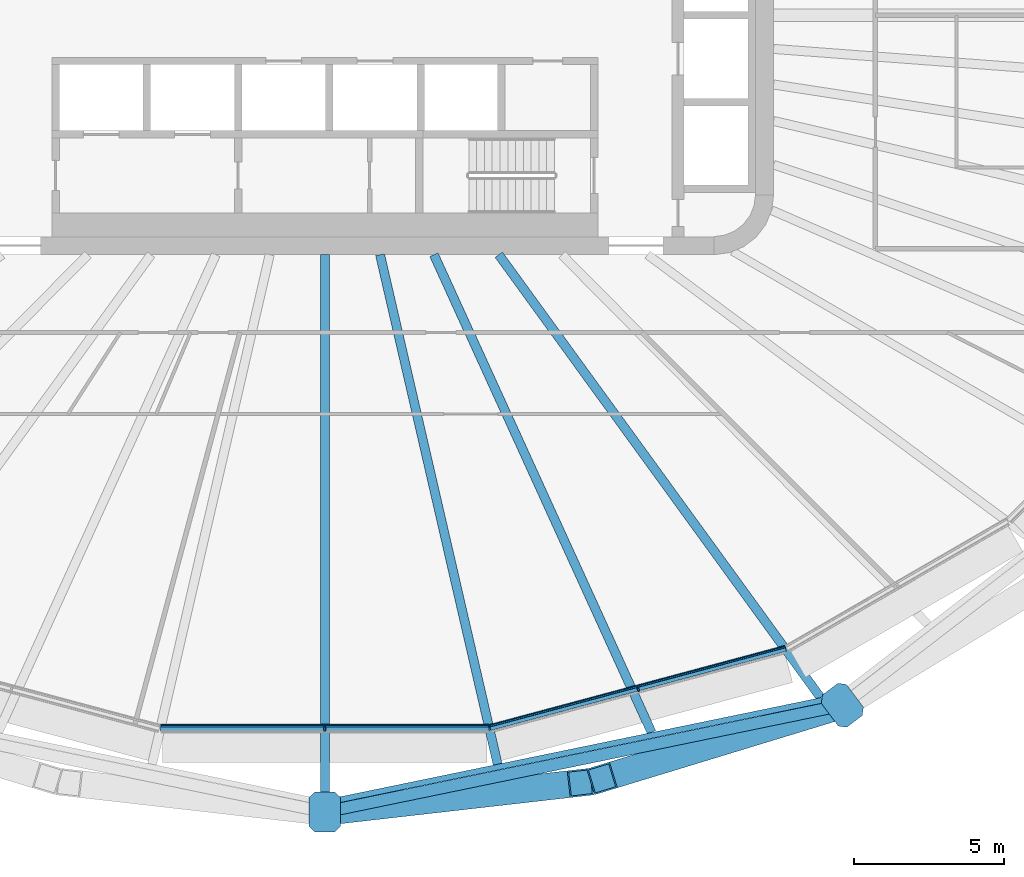
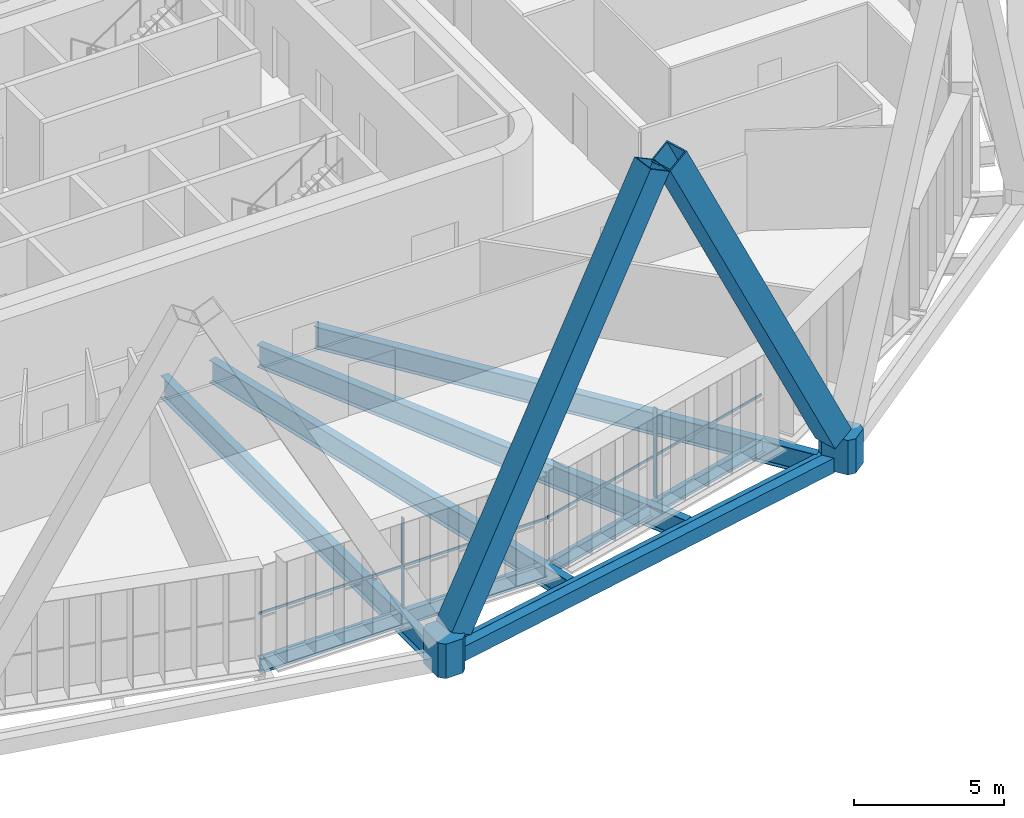
# One storey, part 4 of 25: 8 beams, 8 members, 2 elements without a shape of their own.
"""IFC4 building model written with IfcOpenShell, lengths in metres."""

import ifcopenshell
import ifcopenshell.guid

model = None  # the IFC model being written
_history = None  # IfcOwnerHistory: only IFC2X3 demands one
_inside = {}  # id of a spatial element -> (the spatial element, [elements in it])
_under = {}  # id of a project, library or spatial element -> (it, [spatial elements below it])
_declared = {}  # id of a project -> (the project, [libraries it declares])
_typed = {}  # id of a type object -> (the type object, [elements of that type])
_made_of = {}  # id of a material, layer set ... -> (it, [elements and type objects made of it])


def new_model(schema):
    """Start an empty IFC model of exactly this schema.

    Asked for "IFC4X3", IfcOpenShell would pick the latest addendum, in which some entities
    have other attributes; the version numbers below select the first issue.
    IFC2X3 requires an IfcOwnerHistory on every rooted entity: one is made here for all.
    """
    global model, _history
    if schema == "IFC4X3":
        model = ifcopenshell.file(schema_version=(4, 3, 0, 0))
    else:
        model = ifcopenshell.file(schema=schema)
    _inside.clear()
    _under.clear()
    _declared.clear()
    _typed.clear()
    _made_of.clear()
    _history = None
    if model.schema == "IFC2X3":
        org = make("IfcOrganization", Name="unknown")
        user = make(
            "IfcPersonAndOrganization",
            ThePerson=make("IfcPerson", FamilyName="unknown"),
            TheOrganization=org,
        )
        app = make(
            "IfcApplication",
            ApplicationDeveloper=org,
            Version="unknown",
            ApplicationFullName="unknown",
            ApplicationIdentifier="unknown",
        )
        _history = make(
            "IfcOwnerHistory",
            OwningUser=user,
            OwningApplication=app,
            ChangeAction="ADDED",
            CreationDate=0,
        )
    return model


def make(cls, **values):
    """One entity of the class cls with the attributes given. An attribute that is None is left unset."""
    return model.create_entity(
        cls, **{name: value for name, value in values.items() if value is not None}
    )


def rooted(cls, **values):
    """An entity with a GlobalId (a new one), such as an element, a storey or a relation."""
    return make(cls, GlobalId=ifcopenshell.guid.new(), OwnerHistory=_history, **values)


def si_unit(unit_type, name, prefix=None):
    """IfcSIUnit, for example si_unit("LENGTHUNIT", "METRE", prefix="MILLI")."""
    return make("IfcSIUnit", UnitType=unit_type, Prefix=prefix, Name=name)


def assignment(units):
    """IfcUnitAssignment: the units of a project."""
    return None if units is None else make("IfcUnitAssignment", Units=units)


def point(xyz):
    """IfcCartesianPoint."""
    return None if xyz is None else make("IfcCartesianPoint", Coordinates=xyz)


def direction(xyz):
    """IfcDirection."""
    return None if xyz is None else make("IfcDirection", DirectionRatios=xyz)


def frame(location, z_axis=None, x_axis=None):
    """IfcAxis2Placement3D, a coordinate frame: its origin and axes. An axis left out is left unset."""
    return make(
        "IfcAxis2Placement3D",
        Location=point(location),
        Axis=direction(z_axis),
        RefDirection=direction(x_axis),
    )


def frame_2d(location, x_axis=None):
    """IfcAxis2Placement2D, a coordinate frame in the plane: its origin and x axis."""
    return make(
        "IfcAxis2Placement2D", Location=point(location), RefDirection=direction(x_axis)
    )


def origin():
    """The frame at (0, 0, 0) with its axes left unset."""
    return frame((0.0, 0.0, 0.0))


def origin_2d():
    """The frame at (0, 0) in the plane with its x axis left unset."""
    return frame_2d((0.0, 0.0))


def place(relative_to, where):
    """IfcLocalPlacement: puts the frame where relative to a parent placement (None: the world)."""
    return make(
        "IfcLocalPlacement", PlacementRelTo=relative_to, RelativePlacement=where
    )


def context(
    kind, dimensions, precision=None, world=None, true_north=None, identifier=None
):
    """IfcGeometricRepresentationContext, for example the 3D "Model" context."""
    return make(
        "IfcGeometricRepresentationContext",
        ContextIdentifier=identifier,
        ContextType=kind,
        CoordinateSpaceDimension=dimensions,
        Precision=precision,
        WorldCoordinateSystem=world,
        TrueNorth=true_north,
    )


def subcontext(parent, identifier, kind, view, scale=None):
    """IfcGeometricRepresentationSubContext, for example "Body" below "Model"."""
    return make(
        "IfcGeometricRepresentationSubContext",
        ContextIdentifier=identifier,
        ContextType=kind,
        ParentContext=parent,
        TargetScale=scale,
        TargetView=view,
    )


def project(units=None, contexts=None):
    """IfcProject with its units and contexts."""
    return rooted(
        "IfcProject",
        Name="project",
        RepresentationContexts=contexts,
        UnitsInContext=assignment(units),
    )


def spatial(cls, under=None, at=None, **own):
    """A site, building, storey or space (cls), placed at a placement, below another one or the project."""
    s = rooted(cls, ObjectPlacement=at, **own)
    if under is not None:
        _under.setdefault(under.id(), (under, []))[1].append(s)
    return s


def polyline(points):
    """IfcPolyline through the points."""
    return make("IfcPolyline", Points=[point(p) for p in points])


def profile(cls, at=None, kind="AREA", **sizes):
    """A parametric profile (cls). Its sizes go by their IFC names, for example OverallWidth=200.0."""
    return make(cls, ProfileType=kind, Position=at, **sizes)


def rectangle(**sizes):
    """IfcRectangleProfileDef."""
    return profile("IfcRectangleProfileDef", **sizes)


def hollow_rectangle(**sizes):
    """IfcRectangleHollowProfileDef."""
    return profile("IfcRectangleHollowProfileDef", **sizes)


def i_section(**sizes):
    """IfcIShapeProfileDef."""
    return profile("IfcIShapeProfileDef", **sizes)


def outline(outer, holes=None, kind="AREA"):
    """IfcArbitraryClosedProfileDef: a profile drawn as a closed curve; with holes, ...WithVoids."""
    if holes is None:
        return make("IfcArbitraryClosedProfileDef", ProfileType=kind, OuterCurve=outer)
    return make(
        "IfcArbitraryProfileDefWithVoids",
        ProfileType=kind,
        OuterCurve=outer,
        InnerCurves=holes,
    )


def extrude(swept, where, along, depth):
    """IfcExtrudedAreaSolid: the profile swept, set in the frame where, extruded along a direction by depth."""
    return make(
        "IfcExtrudedAreaSolid",
        SweptArea=swept,
        Position=where,
        ExtrudedDirection=direction(along),
        Depth=depth,
    )


def shape(context_of_items, identifier, shape_type, items):
    """IfcShapeRepresentation: the items that make up one representation, for example the "Body"."""
    return make(
        "IfcShapeRepresentation",
        ContextOfItems=context_of_items,
        RepresentationIdentifier=identifier,
        RepresentationType=shape_type,
        Items=items,
    )


def material(Name=None, Category=None):
    """IfcMaterial."""
    return make("IfcMaterial", Name=Name, Category=Category)


def layer(
    of_material, thickness, ventilated=None, Name=None, Category=None, Priority=None
):
    """IfcMaterialLayer: one layer of a wall or slab, of a material (None: an air gap)."""
    return make(
        "IfcMaterialLayer",
        Material=of_material,
        LayerThickness=thickness,
        IsVentilated=ventilated,
        Name=Name,
        Category=Category,
        Priority=Priority,
    )


def layer_set(layers, Name=None):
    """IfcMaterialLayerSet."""
    return make("IfcMaterialLayerSet", MaterialLayers=layers, LayerSetName=Name)


def material_profile(
    of_material, cross_section, Name=None, Category=None, Priority=None
):
    """IfcMaterialProfile: a cross section and its material."""
    return make(
        "IfcMaterialProfile",
        Name=Name,
        Material=of_material,
        Profile=cross_section,
        Priority=Priority,
        Category=Category,
    )


def profile_set(profiles, Name=None, composite=None):
    """IfcMaterialProfileSet."""
    return make(
        "IfcMaterialProfileSet",
        Name=Name,
        MaterialProfiles=profiles,
        CompositeProfile=composite,
    )


def made_of(thing, what):
    """Note that an element or type object is made of a material, layer set ...; save() writes the relation."""
    if what is not None:
        _made_of.setdefault(what.id(), (what, []))[1].append(thing)
    return thing


def type_object(cls, material=None, **own):
    """A type object (cls), such as IfcWallType, which elements share."""
    return made_of(rooted(cls, **own), material)


def element(
    cls,
    number,
    at=None,
    inside=None,
    cuts=None,
    type_object=None,
    material=None,
    context=None,
    identifier="Body",
    shape_type=None,
    held_by="IfcProductDefinitionShape",
    body=None,
    shapes=None,
    **own,
):
    """One element of the class cls, such as IfcWall. Its Tag is "e" and its number.

    at: its placement. inside: the storey or other place that contains it. cuts: it is an
    opening in that element (IfcRelVoidsElement). A single representation is given by context,
    identifier, shape_type and body (its items); several are given by shapes. held_by: the class
    of the entity that holds the representations. save() writes the other relations.
    """
    e = rooted(cls, Tag="e%d" % number, ObjectPlacement=at, **own)
    if body is not None:
        shapes = [shape(context, identifier, shape_type, body)]
    if shapes is not None:
        e.Representation = make(held_by, Representations=shapes)
    if inside is not None:
        _inside.setdefault(inside.id(), (inside, []))[1].append(e)
    if cuts is not None:
        rooted(
            "IfcRelVoidsElement", RelatingBuildingElement=cuts, RelatedOpeningElement=e
        )
    if type_object is not None:
        _typed.setdefault(type_object.id(), (type_object, []))[1].append(e)
    return made_of(e, material)


def aggregate(whole, parts):
    """IfcRelAggregates: a whole, such as a stair, and the parts it consists of."""
    return rooted("IfcRelAggregates", RelatingObject=whole, RelatedObjects=parts)


def save(model, path):
    """Write the relations noted so far, then the file.

    IfcRelAggregates (storeys below a building ...), IfcRelContainedInSpatialStructure (elements
    in a storey), IfcRelDefinesByType, IfcRelAssociatesMaterial and IfcRelDeclares: one each for
    every whole, place, type object, material and project.
    """
    for whole, parts in _under.values():
        aggregate(whole, parts)
    for where, things in _inside.values():
        rooted(
            "IfcRelContainedInSpatialStructure",
            RelatedElements=things,
            RelatingStructure=where,
        )
    for kind, things in _typed.values():
        rooted("IfcRelDefinesByType", RelatedObjects=things, RelatingType=kind)
    for what, things in _made_of.values():
        rooted("IfcRelAssociatesMaterial", RelatedObjects=things, RelatingMaterial=what)
    for by, libraries in _declared.values():
        rooted("IfcRelDeclares", RelatingContext=by, RelatedDefinitions=libraries)
    model.write(path)


model = new_model("IFC4")

# Units and contexts
model_context = context("Model", 3, precision=1e-05, world=origin(), true_north=direction((0.0, 1.0)))
body_context = subcontext(model_context, "Body", "Model", "MODEL_VIEW")
ifc_project = project(units=[si_unit("LENGTHUNIT", "METRE"), si_unit("AREAUNIT", "SQUARE_METRE"), si_unit("VOLUMEUNIT", "CUBIC_METRE"), si_unit("PLANEANGLEUNIT", "RADIAN"), si_unit("MASSUNIT", "GRAM", prefix="KILO")], contexts=[model_context])

# Site, building, storey
site_placement = place(None, origin())
site = spatial("IfcSite", under=ifc_project, at=site_placement, CompositionType="ELEMENT")
building_placement = place(site_placement, origin())
building = spatial("IfcBuilding", under=site, at=building_placement, Name="Sahrelin Media Tower", CompositionType="ELEMENT")
storey_placement = place(building_placement, frame((0.0, 0.0, 114.60009765625)))
storey = spatial("IfcBuildingStorey", under=building, at=storey_placement, Name="L22", CompositionType="ELEMENT", Elevation=114.60009765625)

# Members
ifc_material_1 = material(Name="Steel S460", Category="steel")
ifc_material_profile_1 = material_profile(ifc_material_1, hollow_rectangle(XDim=0.89990234375, YDim=0.89990234375, WallThickness=0.050048828125, at=origin_2d()), Name="Diagrid diagonal DG3")
ifc_profile_set_1 = profile_set([ifc_material_profile_1], Name="Steel S460")
member_type_1 = type_object("IfcMemberType", Name="Diagrid diagonal DG3", PredefinedType="BRACE", material=ifc_profile_set_1)
member_1_placement = place(storey_placement, frame((0.37158203125, -26.584716796875, 0.699951171875), z_axis=(0.468103705701, 0.053333757537, 0.882062600395), x_axis=(-0.113203375276, 0.993571837275, 0.0)))
element("IfcMember", 1, at=member_1_placement, inside=storey, type_object=member_type_1, Name="Diagrid diagonal D04-18", PredefinedType="BRACE", context=body_context, shape_type="SweptSolid", body=[
    extrude(hollow_rectangle(XDim=0.89990234375, YDim=0.89990234375, WallThickness=0.050048828125, at=origin_2d()), origin(), (0.0, 0.0, 1.0), 17.458984375),
])
member_2_placement = place(storey_placement, frame((16.947998046875, -23.166015625, 0.699951171875), z_axis=(-0.442364026097, -0.134663087703, 0.886667875377), x_axis=(0.291222097573, -0.956655470838, 0.0)))
element("IfcMember", 2, at=member_2_placement, inside=storey, type_object=member_type_1, Name="Diagrid diagonal D04-19", PredefinedType="BRACE", context=body_context, shape_type="SweptSolid", body=[
    extrude(hollow_rectangle(XDim=0.89990234375, YDim=0.89990234375, WallThickness=0.050048828125, at=origin_2d()), origin(), (0.0, 0.0, 1.0), 17.368408203125),
])
ifc_material_profile_2 = material_profile(ifc_material_1, outline(polyline([(0.47509765625, -0.52490234375), (0.675048828125, -0.324951171875), (0.675048828125, 0.324951171875), (0.47509765625, 0.52490234375), (-0.47509765625, 0.52490234375), (-0.675048828125, 0.324951171875), (-0.675048828125, -0.324951171875), (-0.47509765625, -0.52490234375), (0.47509765625, -0.52490234375)])), Name="Diagrid node block 1350")
ifc_profile_set_2 = profile_set([ifc_material_profile_2], Name="Steel S460")
member_type_2 = type_object("IfcMemberType", Name="Diagrid node block 1350", PredefinedType="USERDEFINED", material=ifc_profile_set_2)
for number, where, z_axis, x_axis, name in (
    (3, (0.0, -26.627197265625, -0.7001953125), (0.0, 0.0, 1.0), (0.0, -1.0, 0.0), "Diagrid node N04-09"),
    (4, (17.297119140625, -23.059814453125, -0.7001953125), (0.0, 0.0, 1.0), (0.600050297167, -0.799962274654, 0.0), "Diagrid node N04-10"),
):
    element("IfcMember", number, at=place(storey_placement, frame(where, z_axis=z_axis, x_axis=x_axis)), inside=storey, type_object=member_type_2, Name=name, ObjectType="NODE", PredefinedType="USERDEFINED", context=body_context, shape_type="SweptSolid", body=[
        extrude(outline(polyline([(0.47509765625, -0.52490234375), (0.675048828125, -0.324951171875), (0.675048828125, 0.324951171875), (0.47509765625, 0.52490234375), (-0.47509765625, 0.52490234375), (-0.675048828125, 0.324951171875), (-0.675048828125, -0.324951171875), (-0.47509765625, -0.52490234375), (0.47509765625, -0.52490234375)])), origin(), (0.0, 0.0, 1.0), 1.400146484375),
    ])

# Beams
ifc_material_profile_3 = material_profile(ifc_material_1, hollow_rectangle(XDim=0.39990234375, YDim=0.60009765625, WallThickness=0.030029296875, at=origin_2d()), Name="Diagrid ring beam RB1")
ifc_profile_set_3 = profile_set([ifc_material_profile_3], Name="Steel S460")
beam_type_1 = type_object("IfcBeamType", Name="Diagrid ring beam RB1", PredefinedType="BEAM", material=ifc_profile_set_3)
beam_1_placement = place(storey_placement, frame((0.0, -26.627197265625, -0.4501953125), z_axis=(0.979387523042, 0.201990296076, 0.0), x_axis=(-0.201990296076, 0.979387523042, 0.0)))
element("IfcBeam", 5, at=beam_1_placement, inside=storey, type_object=beam_type_1, Name="Diagrid ring beam RB04-09", PredefinedType="BEAM", context=body_context, shape_type="SweptSolid", body=[
    extrude(hollow_rectangle(XDim=0.39990234375, YDim=0.60009765625, WallThickness=0.030029296875, at=origin_2d()), origin(), (0.0, 0.0, 1.0), 17.6611328125),
])
ifc_material_2 = material(Name="Steel S355", Category="steel")
ifc_material_profile_4 = material_profile(ifc_material_2, i_section(OverallWidth=0.208740234375, OverallDepth=0.5283203125, WebThickness=0.009521484375, FlangeThickness=0.01318359375, FilletRadius=0.0126953125, at=origin_2d()), Name="UB 533x210x82")
ifc_profile_set_4 = profile_set([ifc_material_profile_4], Name="Steel S355")
beam_type_2 = type_object("IfcBeamType", Name="Edge beam EB6", PredefinedType="BEAM", material=ifc_profile_set_4)
beam_2_placement = place(storey_placement, frame((15.398193359375, -21.15478515625, -0.414306640625), z_axis=(-0.96592556592, -0.258820016811, 0.0), x_axis=(0.258820016811, -0.96592556592, 0.0)))
element("IfcBeam", 6, at=beam_2_placement, inside=storey, type_object=beam_type_2, Name="Edge beam L22-06", PredefinedType="BEAM", context=body_context, shape_type="SweptSolid", body=[
    extrude(i_section(OverallWidth=0.208740234375, OverallDepth=0.5283203125, WebThickness=0.009521484375, FlangeThickness=0.01318359375, FilletRadius=0.0126953125, at=origin_2d()), origin(), (0.0, 0.0, 1.0), 10.22607421875),
])
ifc_material_profile_5 = material_profile(ifc_material_2, i_section(OverallWidth=0.2275390625, OverallDepth=0.6025390625, WebThickness=0.010498046875, FlangeThickness=0.014892578125, FilletRadius=0.0126953125, at=origin_2d()), Name="UB 610x229x101")
ifc_profile_set_5 = profile_set([ifc_material_profile_5], Name="Steel S355")
beam_type_3 = type_object("IfcBeamType", Name="Edge beam EB7", PredefinedType="BEAM", material=ifc_profile_set_5)
beam_3_placement = place(storey_placement, frame((5.49169921875, -23.80517578125, -0.451416015625), z_axis=(-1.0, 0.0, 0.0), x_axis=(0.0, -1.0, 0.0)))
element("IfcBeam", 7, at=beam_3_placement, inside=storey, type_object=beam_type_3, Name="Edge beam L22-07", PredefinedType="BEAM", context=body_context, shape_type="SweptSolid", body=[
    extrude(i_section(OverallWidth=0.2275390625, OverallDepth=0.6025390625, WebThickness=0.010498046875, FlangeThickness=0.014892578125, FilletRadius=0.0126953125, at=origin_2d()), origin(), (0.0, 0.0, 1.0), 10.9833984375),
])

# Curtain wall, member
ifc_material_3 = material(Name="Champagne anodised aluminium 6063-T6", Category="aluminium")
ifc_layer = layer(ifc_material_3, 0.14990234375)
ifc_layer_set = layer_set([ifc_layer], Name="Tower ribbon curtain wall")
curtain_wall_type = type_object("IfcCurtainWallType", Name="Tower ribbon curtain wall", PredefinedType="NOTDEFINED", material=ifc_layer_set)
curtain_wall_1_placement = place(storey_placement, frame((0.0, -23.955078125, 0.0), z_axis=(0.0, 0.0, 1.0), x_axis=(1.0, 0.0, 0.0)))
curtain_wall_1 = element("IfcCurtainWall", 8, at=curtain_wall_1_placement, inside=storey, type_object=curtain_wall_type, Name="L22:CW:L22-18", PredefinedType="NOTDEFINED")
ifc_material_profile_6 = material_profile(ifc_material_3, rectangle(XDim=0.06005859375, YDim=0.14990234375, at=origin_2d()), Name="Mullion 60x150")
ifc_profile_set_6 = profile_set([ifc_material_profile_6], Name="Champagne anodised aluminium 6063-T6")
member_type_3 = type_object("IfcMemberType", Name="Mullion 60x150 CW1", PredefinedType="MULLION", material=ifc_profile_set_6)
member_3_placement = place(storey_placement, frame((0.0, -23.860107421875, 0.0), z_axis=(0.0, 0.0, 1.0), x_axis=(1.0, 0.0, 0.0)))
member_3 = element("IfcMember", 9, at=member_3_placement, type_object=member_type_3, Name="L22:CWM:L22-18", PredefinedType="MULLION", context=body_context, shape_type="SweptSolid", body=[
    extrude(rectangle(XDim=0.06005859375, YDim=0.14990234375, at=origin_2d()), origin(), (0.0, 0.0, 1.0), 3.6484375),
])

curtain_wall_2_placement = place(storey_placement, frame((10.498046875, -22.622802734375, 0.0), z_axis=(0.0, 0.0, 1.0), x_axis=(1.0, 0.0, 0.0)))
curtain_wall_2 = element("IfcCurtainWall", 10, at=curtain_wall_2_placement, inside=storey, type_object=curtain_wall_type, Name="L22:CW:L22-19", PredefinedType="NOTDEFINED")
member_4_placement = place(storey_placement, frame((10.473388671875, -22.53125, 0.0), z_axis=(0.0, 0.0, 1.0), x_axis=(0.965925374563, 0.258820730961, 0.0)))
member_4 = element("IfcMember", 11, at=member_4_placement, type_object=member_type_3, Name="L22:CWM:L22-19", PredefinedType="MULLION", context=body_context, shape_type="SweptSolid", body=[
    extrude(rectangle(XDim=0.06005859375, YDim=0.14990234375, at=origin_2d()), origin(), (0.0, 0.0, 1.0), 3.6484375),
])

# Beams
ifc_material_profile_7 = material_profile(ifc_material_2, i_section(OverallWidth=0.30322265625, OverallDepth=0.903076171875, WebThickness=0.01513671875, FlangeThickness=0.020263671875, FilletRadius=0.01904296875, at=origin_2d()), Name="UB 914x305x201")
ifc_profile_set_7 = profile_set([ifc_material_profile_7], Name="Steel S355")
beam_type_4 = type_object("IfcBeamType", Name="Radial primary beam PB11", PredefinedType="BEAM", material=ifc_profile_set_7)
beam_4_placement = place(storey_placement, frame((1.845458984375, -8.0, -0.6015625), z_axis=(0.224785041483, -0.974408376978, 0.0), x_axis=(0.974408376978, 0.224785041483, 0.0)))
element("IfcBeam", 12, at=beam_4_placement, inside=storey, type_object=beam_type_4, Name="Radial beam L22-19", PredefinedType="BEAM", context=body_context, shape_type="SweptSolid", body=[
    extrude(i_section(OverallWidth=0.30322265625, OverallDepth=0.903076171875, WebThickness=0.01513671875, FlangeThickness=0.020263671875, FilletRadius=0.01904296875, at=origin_2d()), origin(), (0.0, 0.0, 1.0), 17.479736328125),
])
beam_5_placement = place(storey_placement, frame((5.81298828125, -8.0, -0.6015625), z_axis=(0.587818677526, -0.808992708466, 0.0), x_axis=(0.808992708466, 0.587818677526, 0.0)))
element("IfcBeam", 13, at=beam_5_placement, inside=storey, type_object=beam_type_4, Name="Radial beam L22-20", PredefinedType="BEAM", context=body_context, shape_type="SweptSolid", body=[
    extrude(i_section(OverallWidth=0.30322265625, OverallDepth=0.903076171875, WebThickness=0.01513671875, FlangeThickness=0.020263671875, FilletRadius=0.01904296875, at=origin_2d()), origin(), (0.0, 0.0, 1.0), 18.3017578125),
])
ifc_material_profile_8 = material_profile(ifc_material_2, i_section(OverallWidth=0.30322265625, OverallDepth=0.903076171875, WebThickness=0.01513671875, FlangeThickness=0.020263671875, FilletRadius=0.01904296875, at=origin_2d()), Name="UB 914x305x201")
ifc_profile_set_8 = profile_set([ifc_material_profile_8], Name="Steel S355")
beam_type_5 = type_object("IfcBeamType", Name="Radial secondary beam SB11", PredefinedType="BEAM", material=ifc_profile_set_8)
beam_6_placement = place(storey_placement, frame((0.0, -8.0, -0.6015625), z_axis=(0.0, -1.0, 0.0), x_axis=(1.0, 0.0, 0.0)))
element("IfcBeam", 14, at=beam_6_placement, inside=storey, type_object=beam_type_5, Name="Secondary beam L22-18", PredefinedType="BEAM", context=body_context, shape_type="SweptSolid", body=[
    extrude(i_section(OverallWidth=0.30322265625, OverallDepth=0.903076171875, WebThickness=0.01513671875, FlangeThickness=0.020263671875, FilletRadius=0.01904296875, at=origin_2d()), origin(), (0.0, 0.0, 1.0), 18.223388671875),
])
beam_7_placement = place(storey_placement, frame((3.645263671875, -8.0, -0.6015625), z_axis=(0.414638082783, -0.90998640666, 0.0), x_axis=(0.90998640666, 0.414638082783, 0.0)))
element("IfcBeam", 15, at=beam_7_placement, inside=storey, type_object=beam_type_5, Name="Secondary beam L22-19", PredefinedType="BEAM", context=body_context, shape_type="SweptSolid", body=[
    extrude(i_section(OverallWidth=0.30322265625, OverallDepth=0.903076171875, WebThickness=0.01513671875, FlangeThickness=0.020263671875, FilletRadius=0.01904296875, at=origin_2d()), origin(), (0.0, 0.0, 1.0), 17.550537109375),
])
ifc_material_profile_9 = material_profile(ifc_material_2, i_section(OverallWidth=0.1904296875, OverallDepth=0.45703125, WebThickness=0.009033203125, FlangeThickness=0.014404296875, FilletRadius=0.01025390625, at=origin_2d()), Name="UB 457x191x74")
ifc_profile_set_9 = profile_set([ifc_material_profile_9], Name="Steel S355")
beam_type_6 = type_object("IfcBeamType", Name="Tie chord TC5", PredefinedType="BEAM", material=ifc_profile_set_9)
beam_8_placement = place(storey_placement, frame((17.168701171875, -22.77978515625, -0.378662109375), z_axis=(-0.979388947425, -0.201983389567, 0.0), x_axis=(0.201983389567, -0.979388947425, 0.0)))
element("IfcBeam", 16, at=beam_8_placement, inside=storey, type_object=beam_type_6, Name="Tie chord L22-03", PredefinedType="BEAM", context=body_context, shape_type="SweptSolid", body=[
    extrude(i_section(OverallWidth=0.1904296875, OverallDepth=0.45703125, WebThickness=0.009033203125, FlangeThickness=0.014404296875, FilletRadius=0.01025390625, at=origin_2d()), origin(), (0.0, 0.0, 1.0), 17.530029296875),
])

# Member
ifc_material_profile_10 = material_profile(ifc_material_3, rectangle(XDim=0.050048828125, YDim=0.10009765625, at=origin_2d()), Name="Transom 50x100")
ifc_profile_set_10 = profile_set([ifc_material_profile_10], Name="Champagne anodised aluminium 6063-T6")
member_type_4 = type_object("IfcMemberType", Name="Transom 50x100 CW1", PredefinedType="USERDEFINED", material=ifc_profile_set_10)
member_5_placement = place(storey_placement, frame((-5.47607421875, -23.76025390625, 1.599853515625), z_axis=(1.0, 0.0, 0.0), x_axis=(0.0, 1.0, 0.0)))
member_5 = element("IfcMember", 17, at=member_5_placement, type_object=member_type_4, Name="L22:CWT:L22-18", ObjectType="TRANSOM", PredefinedType="USERDEFINED", context=body_context, shape_type="SweptSolid", body=[
    extrude(rectangle(XDim=0.050048828125, YDim=0.10009765625, at=origin_2d()), origin(), (0.0, 0.0, 1.0), 10.9521484375),
])

aggregate(curtain_wall_1, [member_3, member_5])

member_6_placement = place(storey_placement, frame((5.52392578125, -23.75390625, 1.599853515625), z_axis=(0.965924213862, 0.258825062686, 0.0), x_axis=(-0.258825062686, 0.965924213862, 0.0)))
member_6 = element("IfcMember", 18, at=member_6_placement, type_object=member_type_4, Name="L22:CWT:L22-19", ObjectType="TRANSOM", PredefinedType="USERDEFINED", context=body_context, shape_type="SweptSolid", body=[
    extrude(rectangle(XDim=0.050048828125, YDim=0.10009765625, at=origin_2d()), origin(), (0.0, 0.0, 1.0), 10.19482421875),
])

aggregate(curtain_wall_2, [member_4, member_6])

save(model, "model.ifc")
